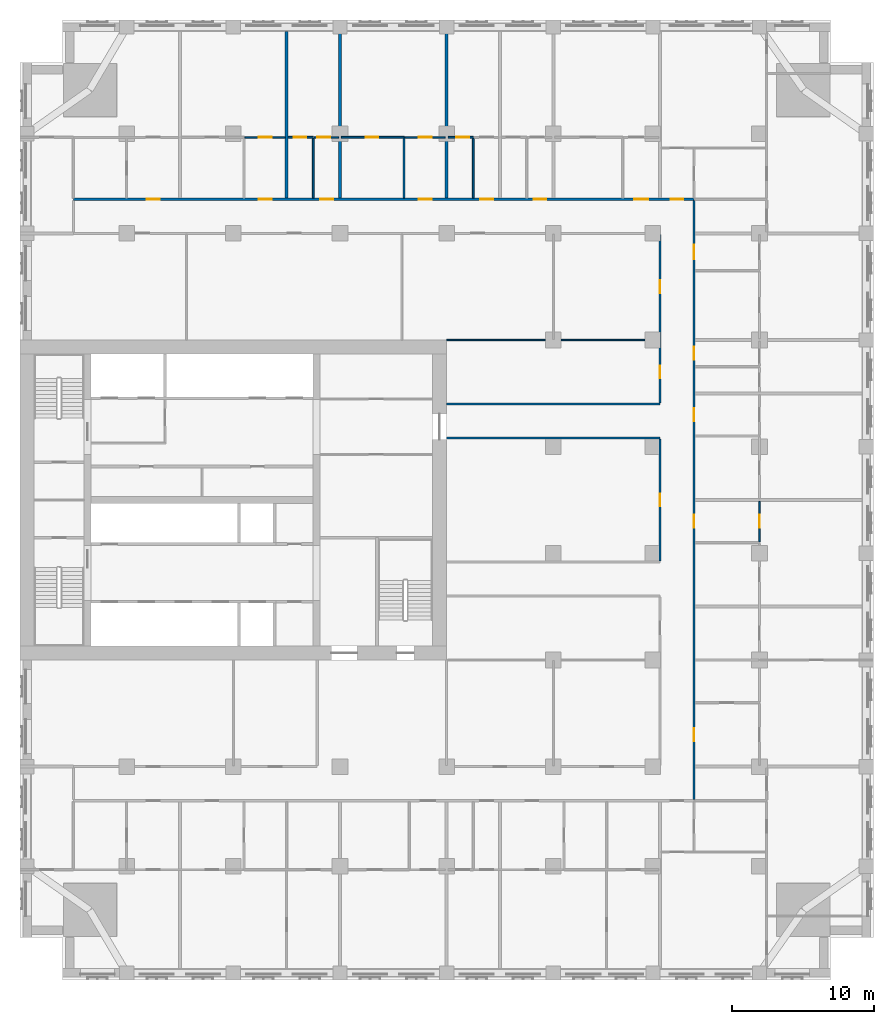
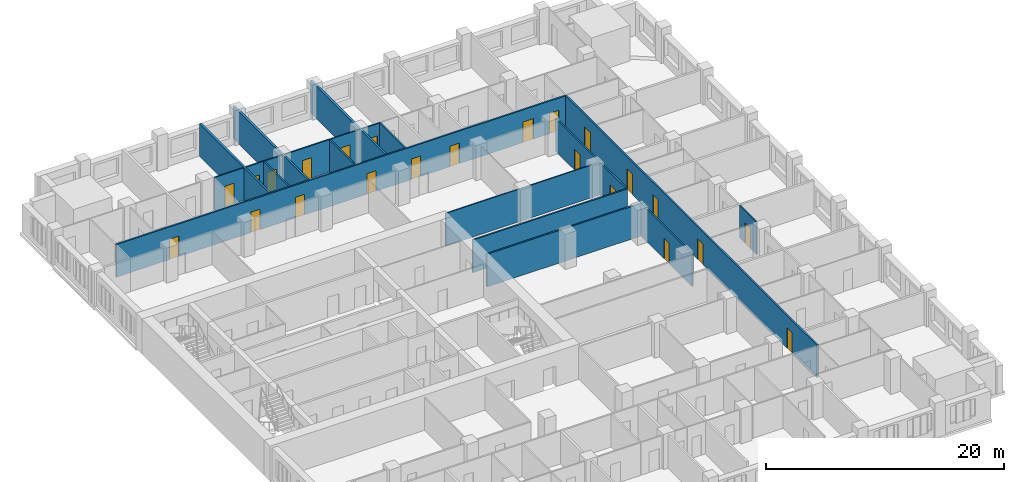
# One storey, part 9 of 14: 23 doors, 20 walls, 23 openings.
"""IFC4 building model written with IfcOpenShell, lengths in metres."""

from ifc_helpers import new_model, si_unit, direction, frame, frame_2d, origin, place, context, subcontext, project, spatial, rectangle, extrude, material, layer, layer_set, type_object, element, fill, save


model = new_model("IFC4")

# Units and contexts
model_context = context("Model", 3, precision=1e-05, world=origin(), true_north=direction((0.0, 1.0)))
body_context = subcontext(model_context, "Body", "Model", "MODEL_VIEW")
ifc_project = project(units=[si_unit("LENGTHUNIT", "METRE"), si_unit("AREAUNIT", "SQUARE_METRE"), si_unit("VOLUMEUNIT", "CUBIC_METRE"), si_unit("PLANEANGLEUNIT", "RADIAN"), si_unit("MASSUNIT", "GRAM", prefix="KILO")], contexts=[model_context])

# Site, building, storey
site_placement = place(None, origin())
site = spatial("IfcSite", under=ifc_project, at=site_placement, CompositionType="ELEMENT")
building_placement = place(site_placement, origin())
building = spatial("IfcBuilding", under=site, at=building_placement, Name="Tamorin Gate", CompositionType="ELEMENT")
storey_placement = place(building_placement, frame((0.0, 0.0, 79.10009765625)))
storey = spatial("IfcBuildingStorey", under=building, at=storey_placement, Name="L18", CompositionType="ELEMENT", Elevation=79.10009765625)

# Wall, openings, doors
ifc_material_1 = material(Name="Gypsum board partition")
ifc_layer_1 = layer(ifc_material_1, 0.14990234375)
ifc_layer_set_1 = layer_set([ifc_layer_1], Name="Corridor wall 150")
wall_type_1 = type_object("IfcWallType", Name="Corridor wall 150", PredefinedType="PARTITIONING", material=ifc_layer_set_1)
wall_1_placement = place(storey_placement, frame((33.75, 92.39990234375, 0.0), z_axis=(0.0, 0.0, 1.0), x_axis=(1.0, 0.0, 0.0)))
wall_1 = element("IfcWall", 1, at=wall_1_placement, inside=storey, type_object=wall_type_1, Name="Corridor wall 150", PredefinedType="PARTITIONING", context=body_context, shape_type="SweptSolid", body=[
    extrude(rectangle(XDim=43.64990234375, YDim=0.14990234375, at=frame_2d((21.824951171875, 0.0))), origin(), (0.0, 0.0, 1.0), 3.349853515625),
])
opening_1_placement = place(wall_1_placement, frame((5.175048828125, 0.0, 0.0)))
opening_1 = element("IfcOpeningElement", 2, at=opening_1_placement, cuts=wall_1, Name="Opening DH5023", PredefinedType="OPENING", context=body_context, shape_type="SweptSolid", body=[
    extrude(rectangle(XDim=0.89990234375, YDim=2.10009765625, at=frame_2d((0.449951171875, 1.050048828125))), frame((0.0, 0.0849609375, 0.0), z_axis=(0.0, -1.0, 0.0), x_axis=(1.0, 0.0, 0.0)), (0.0, 0.0, 1.0), 0.169921875),
])
opening_2_placement = place(wall_1_placement, frame((13.050048828125, 0.0, 0.0)))
opening_2 = element("IfcOpeningElement", 3, at=opening_2_placement, cuts=wall_1, Name="Opening DH5026", PredefinedType="OPENING", context=body_context, shape_type="SweptSolid", body=[
    extrude(rectangle(XDim=0.89990234375, YDim=2.10009765625, at=frame_2d((0.449951171875, 1.050048828125))), frame((0.0, 0.0849609375, 0.0), z_axis=(0.0, -1.0, 0.0), x_axis=(1.0, 0.0, 0.0)), (0.0, 0.0, 1.0), 0.169921875),
])
opening_3_placement = place(wall_1_placement, frame((17.362548828125, 0.0, 0.0)))
opening_3 = element("IfcOpeningElement", 4, at=opening_3_placement, cuts=wall_1, Name="Opening DH5029", PredefinedType="OPENING", context=body_context, shape_type="SweptSolid", body=[
    extrude(rectangle(XDim=0.89990234375, YDim=2.10009765625, at=frame_2d((0.449951171875, 1.050048828125))), frame((0.0, 0.0849609375, 0.0), z_axis=(0.0, -1.0, 0.0), x_axis=(1.0, 0.0, 0.0)), (0.0, 0.0, 1.0), 0.169921875),
])
opening_4_placement = place(wall_1_placement, frame((24.300048828125, 0.0, 0.0)))
opening_4 = element("IfcOpeningElement", 5, at=opening_4_placement, cuts=wall_1, Name="Opening DH5032", PredefinedType="OPENING", context=body_context, shape_type="SweptSolid", body=[
    extrude(rectangle(XDim=0.89990234375, YDim=2.10009765625, at=frame_2d((0.449951171875, 1.050048828125))), frame((0.0, 0.0849609375, 0.0), z_axis=(0.0, -1.0, 0.0), x_axis=(1.0, 0.0, 0.0)), (0.0, 0.0, 1.0), 0.169921875),
])
opening_5_placement = place(wall_1_placement, frame((28.612548828125, 0.0, 0.0)))
opening_5 = element("IfcOpeningElement", 6, at=opening_5_placement, cuts=wall_1, Name="Opening DH5035", PredefinedType="OPENING", context=body_context, shape_type="SweptSolid", body=[
    extrude(rectangle(XDim=0.89990234375, YDim=2.10009765625, at=frame_2d((0.449951171875, 1.050048828125))), frame((0.0, 0.0849609375, 0.0), z_axis=(0.0, -1.0, 0.0), x_axis=(1.0, 0.0, 0.0)), (0.0, 0.0, 1.0), 0.169921875),
])
opening_6_placement = place(wall_1_placement, frame((32.362548828125, 0.0, 0.0)))
opening_6 = element("IfcOpeningElement", 7, at=opening_6_placement, cuts=wall_1, Name="Opening DH5038", PredefinedType="OPENING", context=body_context, shape_type="SweptSolid", body=[
    extrude(rectangle(XDim=0.89990234375, YDim=2.10009765625, at=frame_2d((0.449951171875, 1.050048828125))), frame((0.0, 0.0849609375, 0.0), z_axis=(0.0, -1.0, 0.0), x_axis=(1.0, 0.0, 0.0)), (0.0, 0.0, 1.0), 0.169921875),
])
opening_7_placement = place(wall_1_placement, frame((39.4375, 0.0, 0.0)))
opening_7 = element("IfcOpeningElement", 8, at=opening_7_placement, cuts=wall_1, Name="Opening DH5041", PredefinedType="OPENING", context=body_context, shape_type="SweptSolid", body=[
    extrude(rectangle(XDim=1.0, YDim=2.10009765625, at=frame_2d((0.5, 1.050048828125))), frame((0.0, 0.0849609375, 0.0), z_axis=(0.0, -1.0, 0.0), x_axis=(1.0, 0.0, 0.0)), (0.0, 0.0, 1.0), 0.169921875),
])
opening_8_placement = place(wall_1_placement, frame((42.0, 0.0, 0.0)))
opening_8 = element("IfcOpeningElement", 9, at=opening_8_placement, cuts=wall_1, Name="Opening DH5066", PredefinedType="OPENING", context=body_context, shape_type="SweptSolid", body=[
    extrude(rectangle(XDim=0.89990234375, YDim=2.10009765625, at=frame_2d((0.449951171875, 1.050048828125))), frame((0.0, 0.0849609375, 0.0), z_axis=(0.0, -1.0, 0.0), x_axis=(1.0, 0.0, 0.0)), (0.0, 0.0, 1.0), 0.169921875),
])
ifc_material_2 = material(Name="Timber door leaf", Category="wood")
door_type_1 = type_object("IfcDoorType", Name="Door 1000 x 2100 FD30S", OperationType="NOTDEFINED", PredefinedType="DOOR", material=ifc_material_2)
door_1_placement = place(opening_7_placement, origin())
door_1 = element("IfcDoor", 10, at=door_1_placement, inside=storey, type_object=door_type_1, Name="Door DH5041", OperationType="SINGLE_SWING_LEFT", OverallHeight=2.10009765625, OverallWidth=1.0, PredefinedType="DOOR", context=body_context, shape_type="SweptSolid", body=[
    extrude(rectangle(XDim=1.0, YDim=2.10009765625, at=frame_2d((0.5, 1.050048828125))), frame((0.0, 0.02490234375, 0.0), z_axis=(0.0, -1.0, 0.0), x_axis=(1.0, 0.0, 0.0)), (0.0, 0.0, 1.0), 0.050048828125),
])
fill(opening_7, door_1)
door_type_2 = type_object("IfcDoorType", Name="Door 900 x 2100 FD30S", OperationType="NOTDEFINED", PredefinedType="DOOR", material=ifc_material_2)
door_2_placement = place(opening_1_placement, origin())
door_2 = element("IfcDoor", 11, at=door_2_placement, inside=storey, type_object=door_type_2, Name="Door DH5023", OperationType="SINGLE_SWING_LEFT", OverallHeight=2.10009765625, OverallWidth=0.89990234375, PredefinedType="DOOR", context=body_context, shape_type="SweptSolid", body=[
    extrude(rectangle(XDim=0.89990234375, YDim=2.10009765625, at=frame_2d((0.449951171875, 1.050048828125))), frame((0.0, 0.02490234375, 0.0), z_axis=(0.0, -1.0, 0.0), x_axis=(1.0, 0.0, 0.0)), (0.0, 0.0, 1.0), 0.050048828125),
])
fill(opening_1, door_2)
door_3_placement = place(opening_2_placement, origin())
door_3 = element("IfcDoor", 12, at=door_3_placement, inside=storey, type_object=door_type_2, Name="Door DH5026", OperationType="SINGLE_SWING_LEFT", OverallHeight=2.10009765625, OverallWidth=0.89990234375, PredefinedType="DOOR", context=body_context, shape_type="SweptSolid", body=[
    extrude(rectangle(XDim=0.89990234375, YDim=2.10009765625, at=frame_2d((0.449951171875, 1.050048828125))), frame((0.0, 0.02490234375, 0.0), z_axis=(0.0, -1.0, 0.0), x_axis=(1.0, 0.0, 0.0)), (0.0, 0.0, 1.0), 0.050048828125),
])
fill(opening_2, door_3)
door_4_placement = place(opening_3_placement, origin())
door_4 = element("IfcDoor", 13, at=door_4_placement, inside=storey, type_object=door_type_2, Name="Door DH5029", OperationType="SINGLE_SWING_LEFT", OverallHeight=2.10009765625, OverallWidth=0.89990234375, PredefinedType="DOOR", context=body_context, shape_type="SweptSolid", body=[
    extrude(rectangle(XDim=0.89990234375, YDim=2.10009765625, at=frame_2d((0.449951171875, 1.050048828125))), frame((0.0, 0.02490234375, 0.0), z_axis=(0.0, -1.0, 0.0), x_axis=(1.0, 0.0, 0.0)), (0.0, 0.0, 1.0), 0.050048828125),
])
fill(opening_3, door_4)
door_5_placement = place(opening_4_placement, origin())
door_5 = element("IfcDoor", 14, at=door_5_placement, inside=storey, type_object=door_type_2, Name="Door DH5032", OperationType="SINGLE_SWING_LEFT", OverallHeight=2.10009765625, OverallWidth=0.89990234375, PredefinedType="DOOR", context=body_context, shape_type="SweptSolid", body=[
    extrude(rectangle(XDim=0.89990234375, YDim=2.10009765625, at=frame_2d((0.449951171875, 1.050048828125))), frame((0.0, 0.02490234375, 0.0), z_axis=(0.0, -1.0, 0.0), x_axis=(1.0, 0.0, 0.0)), (0.0, 0.0, 1.0), 0.050048828125),
])
fill(opening_4, door_5)
door_6_placement = place(opening_5_placement, origin())
door_6 = element("IfcDoor", 15, at=door_6_placement, inside=storey, type_object=door_type_2, Name="Door DH5035", OperationType="SINGLE_SWING_LEFT", OverallHeight=2.10009765625, OverallWidth=0.89990234375, PredefinedType="DOOR", context=body_context, shape_type="SweptSolid", body=[
    extrude(rectangle(XDim=0.89990234375, YDim=2.10009765625, at=frame_2d((0.449951171875, 1.050048828125))), frame((0.0, 0.02490234375, 0.0), z_axis=(0.0, -1.0, 0.0), x_axis=(1.0, 0.0, 0.0)), (0.0, 0.0, 1.0), 0.050048828125),
])
fill(opening_5, door_6)
door_7_placement = place(opening_6_placement, origin())
door_7 = element("IfcDoor", 16, at=door_7_placement, inside=storey, type_object=door_type_2, Name="Door DH5038", OperationType="SINGLE_SWING_LEFT", OverallHeight=2.10009765625, OverallWidth=0.89990234375, PredefinedType="DOOR", context=body_context, shape_type="SweptSolid", body=[
    extrude(rectangle(XDim=0.89990234375, YDim=2.10009765625, at=frame_2d((0.449951171875, 1.050048828125))), frame((0.0, 0.02490234375, 0.0), z_axis=(0.0, -1.0, 0.0), x_axis=(1.0, 0.0, 0.0)), (0.0, 0.0, 1.0), 0.050048828125),
])
fill(opening_6, door_7)
door_8_placement = place(opening_8_placement, origin())
door_8 = element("IfcDoor", 17, at=door_8_placement, inside=storey, type_object=door_type_2, Name="Door DH5066", OperationType="SINGLE_SWING_RIGHT", OverallHeight=2.10009765625, OverallWidth=0.89990234375, PredefinedType="DOOR", context=body_context, shape_type="SweptSolid", body=[
    extrude(rectangle(XDim=0.89990234375, YDim=2.10009765625, at=frame_2d((0.449951171875, 1.050048828125))), frame((0.0, 0.02490234375, 0.0), z_axis=(0.0, -1.0, 0.0), x_axis=(1.0, 0.0, 0.0)), (0.0, 0.0, 1.0), 0.050048828125),
])
fill(opening_8, door_8)

# Wall, opening, door
wall_2_placement = place(storey_placement, frame((75.0, 66.97509765625, 0.0), z_axis=(0.0, 0.0, 1.0), x_axis=(0.0, 1.0, 0.0)))
wall_2 = element("IfcWall", 18, at=wall_2_placement, inside=storey, type_object=wall_type_1, Name="Corridor wall 150", PredefinedType="PARTITIONING", context=body_context, shape_type="SweptSolid", body=[
    extrude(rectangle(XDim=8.5498046875, YDim=0.14990234375, at=frame_2d((4.27490234375, 0.0))), origin(), (0.0, 0.0, 1.0), 3.349853515625),
])
opening_9_placement = place(wall_2_placement, frame((3.824951171875, 0.0, 0.0)))
opening_9 = element("IfcOpeningElement", 19, at=opening_9_placement, cuts=wall_2, Name="Opening DH5081", PredefinedType="OPENING", context=body_context, shape_type="SweptSolid", body=[
    extrude(rectangle(XDim=0.89990234375, YDim=2.10009765625, at=frame_2d((0.449951171875, 1.050048828125))), frame((0.0, 0.0849609375, 0.0), z_axis=(0.0, -1.0, 0.0), x_axis=(1.0, 0.0, 0.0)), (0.0, 0.0, 1.0), 0.169921875),
])
door_9_placement = place(opening_9_placement, origin())
door_9 = element("IfcDoor", 20, at=door_9_placement, inside=storey, type_object=door_type_2, Name="Door DH5081", OperationType="SINGLE_SWING_LEFT", OverallHeight=2.10009765625, OverallWidth=0.89990234375, PredefinedType="DOOR", context=body_context, shape_type="SweptSolid", body=[
    extrude(rectangle(XDim=0.89990234375, YDim=2.10009765625, at=frame_2d((0.449951171875, 1.050048828125))), frame((0.0, 0.02490234375, 0.0), z_axis=(0.0, -1.0, 0.0), x_axis=(1.0, 0.0, 0.0)), (0.0, 0.0, 1.0), 0.050048828125),
])
fill(opening_9, door_9)

# Wall, openings, doors
wall_3_placement = place(storey_placement, frame((75.0, 78.074951171875, 0.0), z_axis=(0.0, 0.0, 1.0), x_axis=(0.0, 1.0, 0.0)))
wall_3 = element("IfcWall", 21, at=wall_3_placement, inside=storey, type_object=wall_type_1, Name="Corridor wall 150", PredefinedType="PARTITIONING", context=body_context, shape_type="SweptSolid", body=[
    extrude(rectangle(XDim=11.85009765625, YDim=0.14990234375, at=frame_2d((5.925048828125, 0.0))), origin(), (0.0, 0.0, 1.0), 3.349853515625),
])
opening_10_placement = place(wall_3_placement, frame((7.72509765625, 0.0, 0.0)))
opening_10 = element("IfcOpeningElement", 22, at=opening_10_placement, cuts=wall_3, Name="Opening DH5079", PredefinedType="OPENING", context=body_context, shape_type="SweptSolid", body=[
    extrude(rectangle(XDim=0.89990234375, YDim=2.10009765625, at=frame_2d((0.449951171875, 1.050048828125))), frame((0.0, 0.0849609375, 0.0), z_axis=(0.0, -1.0, 0.0), x_axis=(1.0, 0.0, 0.0)), (0.0, 0.0, 1.0), 0.169921875),
])
opening_11_placement = place(wall_3_placement, frame((1.72509765625, 0.0, 0.0)))
opening_11 = element("IfcOpeningElement", 23, at=opening_11_placement, cuts=wall_3, Name="Opening DH5082", PredefinedType="OPENING", context=body_context, shape_type="SweptSolid", body=[
    extrude(rectangle(XDim=0.89990234375, YDim=2.10009765625, at=frame_2d((0.449951171875, 1.050048828125))), frame((0.0, 0.0849609375, 0.0), z_axis=(0.0, -1.0, 0.0), x_axis=(1.0, 0.0, 0.0)), (0.0, 0.0, 1.0), 0.169921875),
])
door_10_placement = place(opening_10_placement, origin())
door_10 = element("IfcDoor", 24, at=door_10_placement, inside=storey, type_object=door_type_2, Name="Door DH5079", OperationType="SINGLE_SWING_LEFT", OverallHeight=2.10009765625, OverallWidth=0.89990234375, PredefinedType="DOOR", context=body_context, shape_type="SweptSolid", body=[
    extrude(rectangle(XDim=0.89990234375, YDim=2.10009765625, at=frame_2d((0.449951171875, 1.050048828125))), frame((0.0, 0.02490234375, 0.0), z_axis=(0.0, -1.0, 0.0), x_axis=(1.0, 0.0, 0.0)), (0.0, 0.0, 1.0), 0.050048828125),
])
fill(opening_10, door_10)
door_11_placement = place(opening_11_placement, origin())
door_11 = element("IfcDoor", 25, at=door_11_placement, inside=storey, type_object=door_type_2, Name="Door DH5082", OperationType="SINGLE_SWING_LEFT", OverallHeight=2.10009765625, OverallWidth=0.89990234375, PredefinedType="DOOR", context=body_context, shape_type="SweptSolid", body=[
    extrude(rectangle(XDim=0.89990234375, YDim=2.10009765625, at=frame_2d((0.449951171875, 1.050048828125))), frame((0.0, 0.02490234375, 0.0), z_axis=(0.0, -1.0, 0.0), x_axis=(1.0, 0.0, 0.0)), (0.0, 0.0, 1.0), 0.050048828125),
])
fill(opening_11, door_11)

wall_4_placement = place(storey_placement, frame((77.39990234375, 50.175048828125, 0.0), z_axis=(0.0, 0.0, 1.0), x_axis=(0.0, 1.0, 0.0)))
wall_4 = element("IfcWall", 26, at=wall_4_placement, inside=storey, type_object=wall_type_1, Name="Corridor wall 150", PredefinedType="PARTITIONING", context=body_context, shape_type="SweptSolid", body=[
    extrude(rectangle(XDim=42.14990234375, YDim=0.14990234375, at=frame_2d((21.074951171875, 0.0))), origin(), (0.0, 0.0, 1.0), 3.349853515625),
])
opening_12_placement = place(wall_4_placement, frame((4.125, 0.0, 0.0)))
opening_12 = element("IfcOpeningElement", 27, at=opening_12_placement, cuts=wall_4, Name="Opening DH5043", PredefinedType="OPENING", context=body_context, shape_type="SweptSolid", body=[
    extrude(rectangle(XDim=0.89990234375, YDim=2.10009765625, at=frame_2d((0.449951171875, 1.050048828125))), frame((0.0, 0.0849609375, 0.0), z_axis=(0.0, -1.0, 0.0), x_axis=(1.0, 0.0, 0.0)), (0.0, 0.0, 1.0), 0.169921875),
])
opening_13_placement = place(wall_4_placement, frame((19.125, 0.0, 0.0)))
opening_13 = element("IfcOpeningElement", 28, at=opening_13_placement, cuts=wall_4, Name="Opening DH5049", PredefinedType="OPENING", context=body_context, shape_type="SweptSolid", body=[
    extrude(rectangle(XDim=0.89990234375, YDim=2.10009765625, at=frame_2d((0.449951171875, 1.050048828125))), frame((0.0, 0.0849609375, 0.0), z_axis=(0.0, -1.0, 0.0), x_axis=(1.0, 0.0, 0.0)), (0.0, 0.0, 1.0), 0.169921875),
])
opening_14_placement = place(wall_4_placement, frame((26.625, 0.0, 0.0)))
opening_14 = element("IfcOpeningElement", 29, at=opening_14_placement, cuts=wall_4, Name="Opening DH5052", PredefinedType="OPENING", context=body_context, shape_type="SweptSolid", body=[
    extrude(rectangle(XDim=0.89990234375, YDim=2.10009765625, at=frame_2d((0.449951171875, 1.050048828125))), frame((0.0, 0.0849609375, 0.0), z_axis=(0.0, -1.0, 0.0), x_axis=(1.0, 0.0, 0.0)), (0.0, 0.0, 1.0), 0.169921875),
])
opening_15_placement = place(wall_4_placement, frame((30.9375, 0.0, 0.0)))
opening_15 = element("IfcOpeningElement", 30, at=opening_15_placement, cuts=wall_4, Name="Opening DH5055", PredefinedType="OPENING", context=body_context, shape_type="SweptSolid", body=[
    extrude(rectangle(XDim=0.89990234375, YDim=2.10009765625, at=frame_2d((0.449951171875, 1.050048828125))), frame((0.0, 0.0849609375, 0.0), z_axis=(0.0, -1.0, 0.0), x_axis=(1.0, 0.0, 0.0)), (0.0, 0.0, 1.0), 0.169921875),
])
opening_16_placement = place(wall_4_placement, frame((38.012451171875, 0.0, 0.0)))
opening_16 = element("IfcOpeningElement", 31, at=opening_16_placement, cuts=wall_4, Name="Opening DH5058", PredefinedType="OPENING", context=body_context, shape_type="SweptSolid", body=[
    extrude(rectangle(XDim=1.0, YDim=2.10009765625, at=frame_2d((0.5, 1.050048828125))), frame((0.0, 0.0849609375, 0.0), z_axis=(0.0, -1.0, 0.0), x_axis=(1.0, 0.0, 0.0)), (0.0, 0.0, 1.0), 0.169921875),
])
door_12_placement = place(opening_16_placement, origin())
door_12 = element("IfcDoor", 32, at=door_12_placement, inside=storey, type_object=door_type_1, Name="Door DH5058", OperationType="SINGLE_SWING_RIGHT", OverallHeight=2.10009765625, OverallWidth=1.0, PredefinedType="DOOR", context=body_context, shape_type="SweptSolid", body=[
    extrude(rectangle(XDim=1.0, YDim=2.10009765625, at=frame_2d((0.5, 1.050048828125))), frame((0.0, 0.02490234375, 0.0), z_axis=(0.0, -1.0, 0.0), x_axis=(1.0, 0.0, 0.0)), (0.0, 0.0, 1.0), 0.050048828125),
])
fill(opening_16, door_12)
door_13_placement = place(opening_12_placement, origin())
door_13 = element("IfcDoor", 33, at=door_13_placement, inside=storey, type_object=door_type_2, Name="Door DH5043", OperationType="SINGLE_SWING_RIGHT", OverallHeight=2.10009765625, OverallWidth=0.89990234375, PredefinedType="DOOR", context=body_context, shape_type="SweptSolid", body=[
    extrude(rectangle(XDim=0.89990234375, YDim=2.10009765625, at=frame_2d((0.449951171875, 1.050048828125))), frame((0.0, 0.02490234375, 0.0), z_axis=(0.0, -1.0, 0.0), x_axis=(1.0, 0.0, 0.0)), (0.0, 0.0, 1.0), 0.050048828125),
])
fill(opening_12, door_13)
door_14_placement = place(opening_13_placement, origin())
door_14 = element("IfcDoor", 34, at=door_14_placement, inside=storey, type_object=door_type_2, Name="Door DH5049", OperationType="SINGLE_SWING_RIGHT", OverallHeight=2.10009765625, OverallWidth=0.89990234375, PredefinedType="DOOR", context=body_context, shape_type="SweptSolid", body=[
    extrude(rectangle(XDim=0.89990234375, YDim=2.10009765625, at=frame_2d((0.449951171875, 1.050048828125))), frame((0.0, 0.02490234375, 0.0), z_axis=(0.0, -1.0, 0.0), x_axis=(1.0, 0.0, 0.0)), (0.0, 0.0, 1.0), 0.050048828125),
])
fill(opening_13, door_14)
door_15_placement = place(opening_14_placement, origin())
door_15 = element("IfcDoor", 35, at=door_15_placement, inside=storey, type_object=door_type_2, Name="Door DH5052", OperationType="SINGLE_SWING_RIGHT", OverallHeight=2.10009765625, OverallWidth=0.89990234375, PredefinedType="DOOR", context=body_context, shape_type="SweptSolid", body=[
    extrude(rectangle(XDim=0.89990234375, YDim=2.10009765625, at=frame_2d((0.449951171875, 1.050048828125))), frame((0.0, 0.02490234375, 0.0), z_axis=(0.0, -1.0, 0.0), x_axis=(1.0, 0.0, 0.0)), (0.0, 0.0, 1.0), 0.050048828125),
])
fill(opening_14, door_15)
door_16_placement = place(opening_15_placement, origin())
door_16 = element("IfcDoor", 36, at=door_16_placement, inside=storey, type_object=door_type_2, Name="Door DH5055", OperationType="SINGLE_SWING_RIGHT", OverallHeight=2.10009765625, OverallWidth=0.89990234375, PredefinedType="DOOR", context=body_context, shape_type="SweptSolid", body=[
    extrude(rectangle(XDim=0.89990234375, YDim=2.10009765625, at=frame_2d((0.449951171875, 1.050048828125))), frame((0.0, 0.02490234375, 0.0), z_axis=(0.0, -1.0, 0.0), x_axis=(1.0, 0.0, 0.0)), (0.0, 0.0, 1.0), 0.050048828125),
])
fill(opening_15, door_16)

# Walls
ifc_layer_2 = layer(ifc_material_1, 0.199951171875)
ifc_layer_set_2 = layer_set([ifc_layer_2], Name="Demising wall 200")
wall_type_2 = type_object("IfcWallType", Name="Demising wall 200", PredefinedType="PARTITIONING", material=ifc_layer_set_2)
wall_5_placement = place(storey_placement, frame((48.75, 92.47509765625, 0.0), z_axis=(0.0, 0.0, 1.0), x_axis=(0.0, 1.0, 0.0)))
element("IfcWall", 37, at=wall_5_placement, inside=storey, type_object=wall_type_2, Name="Demising wall 200", PredefinedType="PARTITIONING", context=body_context, shape_type="SweptSolid", body=[
    extrude(rectangle(XDim=11.71484375, YDim=0.199951171875, at=frame_2d((5.857421875, 0.0))), origin(), (0.0, 0.0, 1.0), 3.349853515625),
])
for number, where, z_axis, x_axis, name in (
    (38, (52.5, 92.47509765625, 0.0), (0.0, 0.0, 1.0), (0.0, 1.0, 0.0), "Demising wall 200"),
    (39, (60.0, 92.47509765625, 0.0), (0.0, 0.0, 1.0), (0.0, 1.0, 0.0), "Demising wall 200"),
):
    element("IfcWall", number, at=place(storey_placement, frame(where, z_axis=z_axis, x_axis=x_axis)), inside=storey, type_object=wall_type_2, Name=name, PredefinedType="PARTITIONING", context=body_context, shape_type="SweptSolid", body=[
        extrude(rectangle(XDim=12.52490234375, YDim=0.199951171875, at=frame_2d((6.262451171875, 0.0))), origin(), (0.0, 0.0, 1.0), 3.349853515625),
    ])
ifc_layer_3 = layer(ifc_material_1, 0.14990234375)
ifc_layer_set_3 = layer_set([ifc_layer_3], Name="Lobby wall 150")
wall_type_3 = type_object("IfcWallType", Name="Lobby wall 150", PredefinedType="PARTITIONING", material=ifc_layer_set_3)
for number, where, z_axis, x_axis, name in (
    (40, (60.0, 75.60009765625, 0.0), (0.0, 0.0, 1.0), (1.0, 0.0, 0.0), "Lobby wall 150"),
    (41, (60.0, 78.0, 0.0), (0.0, 0.0, 1.0), (1.0, 0.0, 0.0), "Lobby wall 150"),
):
    element("IfcWall", number, at=place(storey_placement, frame(where, z_axis=z_axis, x_axis=x_axis)), inside=storey, type_object=wall_type_3, Name=name, PredefinedType="PARTITIONING", context=body_context, shape_type="SweptSolid", body=[
        extrude(rectangle(XDim=15.0, YDim=0.14990234375, at=frame_2d((7.5, 0.0))), origin(), (0.0, 0.0, 1.0), 3.349853515625),
    ])
ifc_layer_4 = layer(ifc_material_1, 0.10009765625)
ifc_layer_set_4 = layer_set([ifc_layer_4], Name="Room partition 100")
wall_type_4 = type_object("IfcWallType", Name="Room partition 100", PredefinedType="PARTITIONING", material=ifc_layer_set_4)
wall_6_placement = place(storey_placement, frame((60.0, 82.5, 0.0), z_axis=(0.0, 0.0, 1.0), x_axis=(1.0, 0.0, 0.0)))
element("IfcWall", 42, at=wall_6_placement, inside=storey, type_object=wall_type_4, Name="Room partition 100", PredefinedType="PARTITIONING", context=body_context, shape_type="SweptSolid", body=[
    extrude(rectangle(XDim=14.925048828125, YDim=0.10009765625, at=frame_2d((7.46240234375, 0.0))), origin(), (0.0, 0.0, 1.0), 3.349853515625),
])

# Wall, opening, door
wall_7_placement = place(storey_placement, frame((45.8125, 96.75, 0.0), z_axis=(0.0, 0.0, 1.0), x_axis=(1.0, 0.0, 0.0)))
wall_7 = element("IfcWall", 43, at=wall_7_placement, inside=storey, type_object=wall_type_4, Name="Room partition 100", PredefinedType="PARTITIONING", context=body_context, shape_type="SweptSolid", body=[
    extrude(rectangle(XDim=2.83740234375, YDim=0.10009765625, at=frame_2d((1.418701171875, 0.0))), origin(), (0.0, 0.0, 1.0), 3.349853515625),
])
opening_17_placement = place(wall_7_placement, frame((0.987548828125, 0.0, 0.0)))
opening_17 = element("IfcOpeningElement", 44, at=opening_17_placement, cuts=wall_7, Name="Opening DH5027", PredefinedType="OPENING", context=body_context, shape_type="SweptSolid", body=[
    extrude(rectangle(XDim=0.89990234375, YDim=2.10009765625, at=frame_2d((0.449951171875, 1.050048828125))), frame((0.0, 0.06005859375, 0.0), z_axis=(0.0, -1.0, 0.0), x_axis=(1.0, 0.0, 0.0)), (0.0, 0.0, 1.0), 0.1201171875),
])
door_type_3 = type_object("IfcDoorType", Name="Door 900 x 2100", OperationType="NOTDEFINED", PredefinedType="DOOR", material=ifc_material_2)
door_17_placement = place(opening_17_placement, origin())
door_17 = element("IfcDoor", 45, at=door_17_placement, inside=storey, type_object=door_type_3, Name="Door DH5027", OperationType="SINGLE_SWING_RIGHT", OverallHeight=2.10009765625, OverallWidth=0.89990234375, PredefinedType="DOOR", context=body_context, shape_type="SweptSolid", body=[
    extrude(rectangle(XDim=0.89990234375, YDim=2.10009765625, at=frame_2d((0.449951171875, 1.050048828125))), frame((0.0, 0.02490234375, 0.0), z_axis=(0.0, -1.0, 0.0), x_axis=(1.0, 0.0, 0.0)), (0.0, 0.0, 1.0), 0.050048828125),
])
fill(opening_17, door_17)

wall_8_placement = place(storey_placement, frame((50.6875, 96.75, 0.0), z_axis=(0.0, 0.0, 1.0), x_axis=(1.0, 0.0, 0.0)))
wall_8 = element("IfcWall", 46, at=wall_8_placement, inside=storey, type_object=wall_type_4, Name="Room partition 100", PredefinedType="PARTITIONING", context=body_context, shape_type="SweptSolid", body=[
    extrude(rectangle(XDim=1.71240234375, YDim=0.10009765625, at=frame_2d((0.856201171875, 0.0))), origin(), (0.0, 0.0, 1.0), 3.349853515625),
])
opening_18_placement = place(wall_8_placement, frame((0.22509765625, 0.0, 0.0)))
opening_18 = element("IfcOpeningElement", 47, at=opening_18_placement, cuts=wall_8, Name="Opening DH5030", PredefinedType="OPENING", context=body_context, shape_type="SweptSolid", body=[
    extrude(rectangle(XDim=0.89990234375, YDim=2.10009765625, at=frame_2d((0.449951171875, 1.050048828125))), frame((0.0, 0.06005859375, 0.0), z_axis=(0.0, -1.0, 0.0), x_axis=(1.0, 0.0, 0.0)), (0.0, 0.0, 1.0), 0.1201171875),
])
door_18_placement = place(opening_18_placement, origin())
door_18 = element("IfcDoor", 48, at=door_18_placement, inside=storey, type_object=door_type_3, Name="Door DH5030", OperationType="SINGLE_SWING_RIGHT", OverallHeight=2.10009765625, OverallWidth=0.89990234375, PredefinedType="DOOR", context=body_context, shape_type="SweptSolid", body=[
    extrude(rectangle(XDim=0.89990234375, YDim=2.10009765625, at=frame_2d((0.449951171875, 1.050048828125))), frame((0.0, 0.02490234375, 0.0), z_axis=(0.0, -1.0, 0.0), x_axis=(1.0, 0.0, 0.0)), (0.0, 0.0, 1.0), 0.050048828125),
])
fill(opening_18, door_18)

wall_9_placement = place(storey_placement, frame((57.0625, 96.75, 0.0), z_axis=(0.0, 0.0, 1.0), x_axis=(1.0, 0.0, 0.0)))
wall_9 = element("IfcWall", 49, at=wall_9_placement, inside=storey, type_object=wall_type_4, Name="Room partition 100", PredefinedType="PARTITIONING", context=body_context, shape_type="SweptSolid", body=[
    extrude(rectangle(XDim=2.83740234375, YDim=0.10009765625, at=frame_2d((1.418701171875, 0.0))), origin(), (0.0, 0.0, 1.0), 3.349853515625),
])
opening_19_placement = place(wall_9_placement, frame((0.987548828125, 0.0, 0.0)))
opening_19 = element("IfcOpeningElement", 50, at=opening_19_placement, cuts=wall_9, Name="Opening DH5033", PredefinedType="OPENING", context=body_context, shape_type="SweptSolid", body=[
    extrude(rectangle(XDim=0.89990234375, YDim=2.10009765625, at=frame_2d((0.449951171875, 1.050048828125))), frame((0.0, 0.06005859375, 0.0), z_axis=(0.0, -1.0, 0.0), x_axis=(1.0, 0.0, 0.0)), (0.0, 0.0, 1.0), 0.1201171875),
])
door_19_placement = place(opening_19_placement, origin())
door_19 = element("IfcDoor", 51, at=door_19_placement, inside=storey, type_object=door_type_3, Name="Door DH5033", OperationType="SINGLE_SWING_RIGHT", OverallHeight=2.10009765625, OverallWidth=0.89990234375, PredefinedType="DOOR", context=body_context, shape_type="SweptSolid", body=[
    extrude(rectangle(XDim=0.89990234375, YDim=2.10009765625, at=frame_2d((0.449951171875, 1.050048828125))), frame((0.0, 0.02490234375, 0.0), z_axis=(0.0, -1.0, 0.0), x_axis=(1.0, 0.0, 0.0)), (0.0, 0.0, 1.0), 0.050048828125),
])
fill(opening_19, door_19)

wall_10_placement = place(storey_placement, frame((82.0, 68.3125, 0.0), z_axis=(0.0, 0.0, 1.0), x_axis=(0.0, 1.0, 0.0)))
wall_10 = element("IfcWall", 52, at=wall_10_placement, inside=storey, type_object=wall_type_4, Name="Room partition 100", PredefinedType="PARTITIONING", context=body_context, shape_type="SweptSolid", body=[
    extrude(rectangle(XDim=2.83740234375, YDim=0.10009765625, at=frame_2d((1.418701171875, 0.0))), origin(), (0.0, 0.0, 1.0), 3.349853515625),
])
opening_20_placement = place(wall_10_placement, frame((0.987548828125, 0.0, 0.0)))
opening_20 = element("IfcOpeningElement", 53, at=opening_20_placement, cuts=wall_10, Name="Opening DH5050", PredefinedType="OPENING", context=body_context, shape_type="SweptSolid", body=[
    extrude(rectangle(XDim=0.89990234375, YDim=2.10009765625, at=frame_2d((0.449951171875, 1.050048828125))), frame((0.0, 0.06005859375, 0.0), z_axis=(0.0, -1.0, 0.0), x_axis=(1.0, 0.0, 0.0)), (0.0, 0.0, 1.0), 0.1201171875),
])
door_20_placement = place(opening_20_placement, origin())
door_20 = element("IfcDoor", 54, at=door_20_placement, inside=storey, type_object=door_type_3, Name="Door DH5050", OperationType="SINGLE_SWING_LEFT", OverallHeight=2.10009765625, OverallWidth=0.89990234375, PredefinedType="DOOR", context=body_context, shape_type="SweptSolid", body=[
    extrude(rectangle(XDim=0.89990234375, YDim=2.10009765625, at=frame_2d((0.449951171875, 1.050048828125))), frame((0.0, 0.02490234375, 0.0), z_axis=(0.0, -1.0, 0.0), x_axis=(1.0, 0.0, 0.0)), (0.0, 0.0, 1.0), 0.050048828125),
])
fill(opening_20, door_20)

ifc_layer_5 = layer(ifc_material_1, 0.125)
ifc_layer_set_5 = layer_set([ifc_layer_5], Name="Wet wall 125")
wall_type_5 = type_object("IfcWallType", Name="Wet wall 125", PredefinedType="PARTITIONING", material=ifc_layer_set_5)
wall_11_placement = place(storey_placement, frame((48.85009765625, 96.75, 0.0), z_axis=(0.0, 0.0, 1.0), x_axis=(1.0, 0.0, 0.0)))
wall_11 = element("IfcWall", 55, at=wall_11_placement, inside=storey, type_object=wall_type_5, Name="Wet wall 125", PredefinedType="PARTITIONING", context=body_context, shape_type="SweptSolid", body=[
    extrude(rectangle(XDim=1.77490234375, YDim=0.125, at=frame_2d((0.887451171875, 0.0))), origin(), (0.0, 0.0, 1.0), 3.349853515625),
])
opening_21_placement = place(wall_11_placement, frame((0.387451171875, 0.0, 0.0)))
opening_21 = element("IfcOpeningElement", 56, at=opening_21_placement, cuts=wall_11, Name="Opening DH5028", PredefinedType="OPENING", context=body_context, shape_type="SweptSolid", body=[
    extrude(rectangle(XDim=0.89990234375, YDim=2.10009765625, at=frame_2d((0.449951171875, 1.050048828125))), frame((0.0, 0.072509765625, 0.0), z_axis=(0.0, -1.0, 0.0), x_axis=(1.0, 0.0, 0.0)), (0.0, 0.0, 1.0), 0.14501953125),
])
door_21_placement = place(opening_21_placement, origin())
door_21 = element("IfcDoor", 57, at=door_21_placement, inside=storey, type_object=door_type_3, Name="Door DH5028", OperationType="SINGLE_SWING_RIGHT", OverallHeight=2.10009765625, OverallWidth=0.89990234375, PredefinedType="DOOR", context=body_context, shape_type="SweptSolid", body=[
    extrude(rectangle(XDim=0.89990234375, YDim=2.10009765625, at=frame_2d((0.449951171875, 1.050048828125))), frame((0.0, 0.02490234375, 0.0), z_axis=(0.0, -1.0, 0.0), x_axis=(1.0, 0.0, 0.0)), (0.0, 0.0, 1.0), 0.050048828125),
])
fill(opening_21, door_21)

wall_12_placement = place(storey_placement, frame((52.60009765625, 96.75, 0.0), z_axis=(0.0, 0.0, 1.0), x_axis=(1.0, 0.0, 0.0)))
wall_12 = element("IfcWall", 58, at=wall_12_placement, inside=storey, type_object=wall_type_5, Name="Wet wall 125", PredefinedType="PARTITIONING", context=body_context, shape_type="SweptSolid", body=[
    extrude(rectangle(XDim=4.39990234375, YDim=0.125, at=frame_2d((2.199951171875, 0.0))), origin(), (0.0, 0.0, 1.0), 3.349853515625),
])
opening_22_placement = place(wall_12_placement, frame((1.699951171875, 0.0, 0.0)))
opening_22 = element("IfcOpeningElement", 59, at=opening_22_placement, cuts=wall_12, Name="Opening DH5031", PredefinedType="OPENING", context=body_context, shape_type="SweptSolid", body=[
    extrude(rectangle(XDim=0.89990234375, YDim=2.10009765625, at=frame_2d((0.449951171875, 1.050048828125))), frame((0.0, 0.072509765625, 0.0), z_axis=(0.0, -1.0, 0.0), x_axis=(1.0, 0.0, 0.0)), (0.0, 0.0, 1.0), 0.14501953125),
])
door_22_placement = place(opening_22_placement, origin())
door_22 = element("IfcDoor", 60, at=door_22_placement, inside=storey, type_object=door_type_3, Name="Door DH5031", OperationType="SINGLE_SWING_RIGHT", OverallHeight=2.10009765625, OverallWidth=0.89990234375, PredefinedType="DOOR", context=body_context, shape_type="SweptSolid", body=[
    extrude(rectangle(XDim=0.89990234375, YDim=2.10009765625, at=frame_2d((0.449951171875, 1.050048828125))), frame((0.0, 0.02490234375, 0.0), z_axis=(0.0, -1.0, 0.0), x_axis=(1.0, 0.0, 0.0)), (0.0, 0.0, 1.0), 0.050048828125),
])
fill(opening_22, door_22)

wall_13_placement = place(storey_placement, frame((60.10009765625, 96.75, 0.0), z_axis=(0.0, 0.0, 1.0), x_axis=(1.0, 0.0, 0.0)))
wall_13 = element("IfcWall", 61, at=wall_13_placement, inside=storey, type_object=wall_type_5, Name="Wet wall 125", PredefinedType="PARTITIONING", context=body_context, shape_type="SweptSolid", body=[
    extrude(rectangle(XDim=1.77490234375, YDim=0.125, at=frame_2d((0.887451171875, 0.0))), origin(), (0.0, 0.0, 1.0), 3.349853515625),
])
opening_23_placement = place(wall_13_placement, frame((0.58740234375, 0.0, 0.0)))
opening_23 = element("IfcOpeningElement", 62, at=opening_23_placement, cuts=wall_13, Name="Opening DH5034", PredefinedType="OPENING", context=body_context, shape_type="SweptSolid", body=[
    extrude(rectangle(XDim=0.89990234375, YDim=2.10009765625, at=frame_2d((0.449951171875, 1.050048828125))), frame((0.0, 0.072509765625, 0.0), z_axis=(0.0, -1.0, 0.0), x_axis=(1.0, 0.0, 0.0)), (0.0, 0.0, 1.0), 0.14501953125),
])
door_23_placement = place(opening_23_placement, origin())
door_23 = element("IfcDoor", 63, at=door_23_placement, inside=storey, type_object=door_type_3, Name="Door DH5034", OperationType="SINGLE_SWING_LEFT", OverallHeight=2.10009765625, OverallWidth=0.89990234375, PredefinedType="DOOR", context=body_context, shape_type="SweptSolid", body=[
    extrude(rectangle(XDim=0.89990234375, YDim=2.10009765625, at=frame_2d((0.449951171875, 1.050048828125))), frame((0.0, 0.02490234375, 0.0), z_axis=(0.0, -1.0, 0.0), x_axis=(1.0, 0.0, 0.0)), (0.0, 0.0, 1.0), 0.050048828125),
])
fill(opening_23, door_23)

# Walls
for number, where, z_axis, x_axis, name in (
    (64, (50.625, 92.47509765625, 0.0), (0.0, 0.0, 1.0), (0.0, 1.0, 0.0), "Wet wall 125"),
    (65, (57.0, 92.47509765625, 0.0), (0.0, 0.0, 1.0), (0.0, 1.0, 0.0), "Wet wall 125"),
    (66, (61.875, 92.47509765625, 0.0), (0.0, 0.0, 1.0), (0.0, 1.0, 0.0), "Wet wall 125"),
):
    element("IfcWall", number, at=place(storey_placement, frame(where, z_axis=z_axis, x_axis=x_axis)), inside=storey, type_object=wall_type_5, Name=name, PredefinedType="PARTITIONING", context=body_context, shape_type="SweptSolid", body=[
        extrude(rectangle(XDim=4.21240234375, YDim=0.125, at=frame_2d((2.106201171875, 0.0))), origin(), (0.0, 0.0, 1.0), 3.349853515625),
    ])

save(model, "model.ifc")
